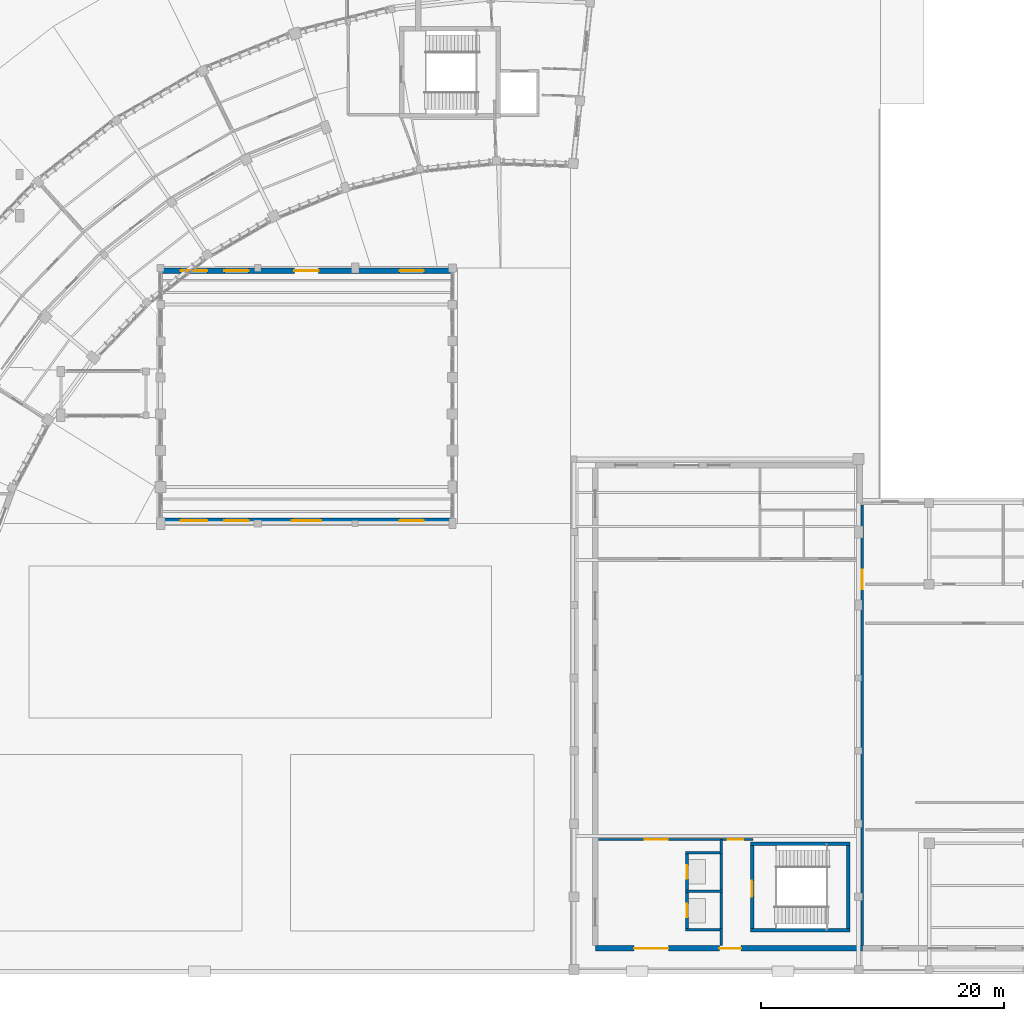
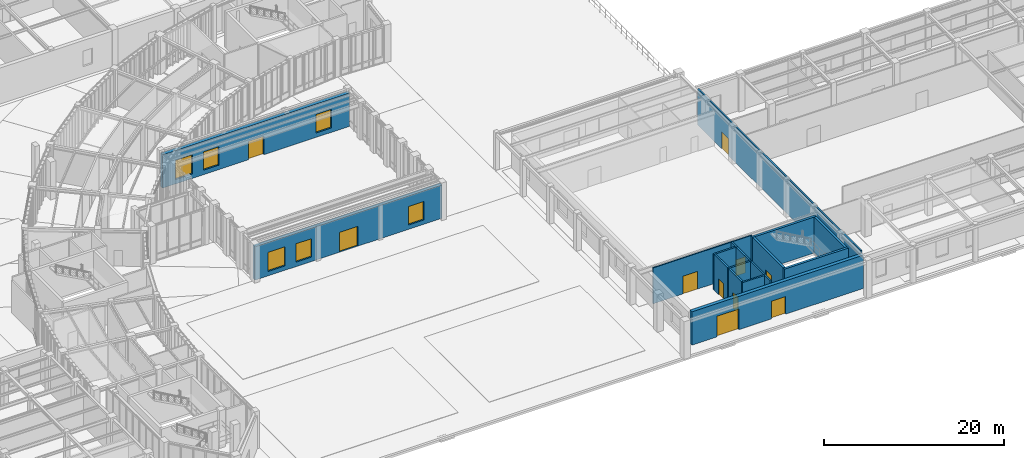
# One storey, part 40 of 68: 18 walls, 10 doors, 6 windows, 16 openings.
"""IFC4 building model written with IfcOpenShell, lengths in metres."""

import ifcopenshell
import ifcopenshell.guid

model = None  # the IFC model being written
_history = None  # IfcOwnerHistory: only IFC2X3 demands one
_inside = {}  # id of a spatial element -> (the spatial element, [elements in it])
_under = {}  # id of a project, library or spatial element -> (it, [spatial elements below it])
_declared = {}  # id of a project -> (the project, [libraries it declares])
_typed = {}  # id of a type object -> (the type object, [elements of that type])
_made_of = {}  # id of a material, layer set ... -> (it, [elements and type objects made of it])


def new_model(schema):
    """Start an empty IFC model of exactly this schema.

    Asked for "IFC4X3", IfcOpenShell would pick the latest addendum, in which some entities
    have other attributes; the version numbers below select the first issue.
    IFC2X3 requires an IfcOwnerHistory on every rooted entity: one is made here for all.
    """
    global model, _history
    if schema == "IFC4X3":
        model = ifcopenshell.file(schema_version=(4, 3, 0, 0))
    else:
        model = ifcopenshell.file(schema=schema)
    _inside.clear()
    _under.clear()
    _declared.clear()
    _typed.clear()
    _made_of.clear()
    _history = None
    if model.schema == "IFC2X3":
        org = make("IfcOrganization", Name="unknown")
        user = make(
            "IfcPersonAndOrganization",
            ThePerson=make("IfcPerson", FamilyName="unknown"),
            TheOrganization=org,
        )
        app = make(
            "IfcApplication",
            ApplicationDeveloper=org,
            Version="unknown",
            ApplicationFullName="unknown",
            ApplicationIdentifier="unknown",
        )
        _history = make(
            "IfcOwnerHistory",
            OwningUser=user,
            OwningApplication=app,
            ChangeAction="ADDED",
            CreationDate=0,
        )
    return model


def make(cls, **values):
    """One entity of the class cls with the attributes given. An attribute that is None is left unset."""
    return model.create_entity(
        cls, **{name: value for name, value in values.items() if value is not None}
    )


def rooted(cls, **values):
    """An entity with a GlobalId (a new one), such as an element, a storey or a relation."""
    return make(cls, GlobalId=ifcopenshell.guid.new(), OwnerHistory=_history, **values)


def si_unit(unit_type, name, prefix=None):
    """IfcSIUnit, for example si_unit("LENGTHUNIT", "METRE", prefix="MILLI")."""
    return make("IfcSIUnit", UnitType=unit_type, Prefix=prefix, Name=name)


def assignment(units):
    """IfcUnitAssignment: the units of a project."""
    return None if units is None else make("IfcUnitAssignment", Units=units)


def point(xyz):
    """IfcCartesianPoint."""
    return None if xyz is None else make("IfcCartesianPoint", Coordinates=xyz)


def direction(xyz):
    """IfcDirection."""
    return None if xyz is None else make("IfcDirection", DirectionRatios=xyz)


def frame(location, z_axis=None, x_axis=None):
    """IfcAxis2Placement3D, a coordinate frame: its origin and axes. An axis left out is left unset."""
    return make(
        "IfcAxis2Placement3D",
        Location=point(location),
        Axis=direction(z_axis),
        RefDirection=direction(x_axis),
    )


def frame_2d(location, x_axis=None):
    """IfcAxis2Placement2D, a coordinate frame in the plane: its origin and x axis."""
    return make(
        "IfcAxis2Placement2D", Location=point(location), RefDirection=direction(x_axis)
    )


def origin():
    """The frame at (0, 0, 0) with its axes left unset."""
    return frame((0.0, 0.0, 0.0))


def place(relative_to, where):
    """IfcLocalPlacement: puts the frame where relative to a parent placement (None: the world)."""
    return make(
        "IfcLocalPlacement", PlacementRelTo=relative_to, RelativePlacement=where
    )


def context(
    kind, dimensions, precision=None, world=None, true_north=None, identifier=None
):
    """IfcGeometricRepresentationContext, for example the 3D "Model" context."""
    return make(
        "IfcGeometricRepresentationContext",
        ContextIdentifier=identifier,
        ContextType=kind,
        CoordinateSpaceDimension=dimensions,
        Precision=precision,
        WorldCoordinateSystem=world,
        TrueNorth=true_north,
    )


def subcontext(parent, identifier, kind, view, scale=None):
    """IfcGeometricRepresentationSubContext, for example "Body" below "Model"."""
    return make(
        "IfcGeometricRepresentationSubContext",
        ContextIdentifier=identifier,
        ContextType=kind,
        ParentContext=parent,
        TargetScale=scale,
        TargetView=view,
    )


def project(units=None, contexts=None):
    """IfcProject with its units and contexts."""
    return rooted(
        "IfcProject",
        Name="project",
        RepresentationContexts=contexts,
        UnitsInContext=assignment(units),
    )


def spatial(cls, under=None, at=None, **own):
    """A site, building, storey or space (cls), placed at a placement, below another one or the project."""
    s = rooted(cls, ObjectPlacement=at, **own)
    if under is not None:
        _under.setdefault(under.id(), (under, []))[1].append(s)
    return s


def profile(cls, at=None, kind="AREA", **sizes):
    """A parametric profile (cls). Its sizes go by their IFC names, for example OverallWidth=200.0."""
    return make(cls, ProfileType=kind, Position=at, **sizes)


def rectangle(**sizes):
    """IfcRectangleProfileDef."""
    return profile("IfcRectangleProfileDef", **sizes)


def extrude(swept, where, along, depth):
    """IfcExtrudedAreaSolid: the profile swept, set in the frame where, extruded along a direction by depth."""
    return make(
        "IfcExtrudedAreaSolid",
        SweptArea=swept,
        Position=where,
        ExtrudedDirection=direction(along),
        Depth=depth,
    )


def shape(context_of_items, identifier, shape_type, items):
    """IfcShapeRepresentation: the items that make up one representation, for example the "Body"."""
    return make(
        "IfcShapeRepresentation",
        ContextOfItems=context_of_items,
        RepresentationIdentifier=identifier,
        RepresentationType=shape_type,
        Items=items,
    )


def material(Name=None, Category=None):
    """IfcMaterial."""
    return make("IfcMaterial", Name=Name, Category=Category)


def layer(
    of_material, thickness, ventilated=None, Name=None, Category=None, Priority=None
):
    """IfcMaterialLayer: one layer of a wall or slab, of a material (None: an air gap)."""
    return make(
        "IfcMaterialLayer",
        Material=of_material,
        LayerThickness=thickness,
        IsVentilated=ventilated,
        Name=Name,
        Category=Category,
        Priority=Priority,
    )


def layer_set(layers, Name=None):
    """IfcMaterialLayerSet."""
    return make("IfcMaterialLayerSet", MaterialLayers=layers, LayerSetName=Name)


def made_of(thing, what):
    """Note that an element or type object is made of a material, layer set ...; save() writes the relation."""
    if what is not None:
        _made_of.setdefault(what.id(), (what, []))[1].append(thing)
    return thing


def type_object(cls, material=None, **own):
    """A type object (cls), such as IfcWallType, which elements share."""
    return made_of(rooted(cls, **own), material)


def element(
    cls,
    number,
    at=None,
    inside=None,
    cuts=None,
    type_object=None,
    material=None,
    context=None,
    identifier="Body",
    shape_type=None,
    held_by="IfcProductDefinitionShape",
    body=None,
    shapes=None,
    **own,
):
    """One element of the class cls, such as IfcWall. Its Tag is "e" and its number.

    at: its placement. inside: the storey or other place that contains it. cuts: it is an
    opening in that element (IfcRelVoidsElement). A single representation is given by context,
    identifier, shape_type and body (its items); several are given by shapes. held_by: the class
    of the entity that holds the representations. save() writes the other relations.
    """
    e = rooted(cls, Tag="e%d" % number, ObjectPlacement=at, **own)
    if body is not None:
        shapes = [shape(context, identifier, shape_type, body)]
    if shapes is not None:
        e.Representation = make(held_by, Representations=shapes)
    if inside is not None:
        _inside.setdefault(inside.id(), (inside, []))[1].append(e)
    if cuts is not None:
        rooted(
            "IfcRelVoidsElement", RelatingBuildingElement=cuts, RelatedOpeningElement=e
        )
    if type_object is not None:
        _typed.setdefault(type_object.id(), (type_object, []))[1].append(e)
    return made_of(e, material)


def fill(opening, filler):
    """IfcRelFillsElement: the door or window that sits in an opening."""
    return rooted(
        "IfcRelFillsElement",
        RelatingOpeningElement=opening,
        RelatedBuildingElement=filler,
    )


def aggregate(whole, parts):
    """IfcRelAggregates: a whole, such as a stair, and the parts it consists of."""
    return rooted("IfcRelAggregates", RelatingObject=whole, RelatedObjects=parts)


def save(model, path):
    """Write the relations noted so far, then the file.

    IfcRelAggregates (storeys below a building ...), IfcRelContainedInSpatialStructure (elements
    in a storey), IfcRelDefinesByType, IfcRelAssociatesMaterial and IfcRelDeclares: one each for
    every whole, place, type object, material and project.
    """
    for whole, parts in _under.values():
        aggregate(whole, parts)
    for where, things in _inside.values():
        rooted(
            "IfcRelContainedInSpatialStructure",
            RelatedElements=things,
            RelatingStructure=where,
        )
    for kind, things in _typed.values():
        rooted("IfcRelDefinesByType", RelatedObjects=things, RelatingType=kind)
    for what, things in _made_of.values():
        rooted("IfcRelAssociatesMaterial", RelatedObjects=things, RelatingMaterial=what)
    for by, libraries in _declared.values():
        rooted("IfcRelDeclares", RelatingContext=by, RelatedDefinitions=libraries)
    model.write(path)


model = new_model("IFC4")

# Units and contexts
model_context = context("Model", 3, precision=1e-05, world=origin(), true_north=direction((0.0, 1.0)))
body_context = subcontext(model_context, "Body", "Model", "MODEL_VIEW")
ifc_project = project(units=[si_unit("LENGTHUNIT", "METRE"), si_unit("AREAUNIT", "SQUARE_METRE"), si_unit("VOLUMEUNIT", "CUBIC_METRE"), si_unit("PLANEANGLEUNIT", "RADIAN"), si_unit("MASSUNIT", "GRAM", prefix="KILO"), si_unit("THERMODYNAMICTEMPERATUREUNIT", "KELVIN"), si_unit("POWERUNIT", "WATT")], contexts=[model_context])

# Site, building, storey
site_placement = place(None, origin())
site = spatial("IfcSite", under=ifc_project, at=site_placement, CompositionType="ELEMENT")
building_placement = place(site_placement, origin())
building = spatial("IfcBuilding", under=site, at=building_placement, Name="Solvatero Civic Police Headquarters", CompositionType="ELEMENT")
storey_placement = place(building_placement, origin())
storey = spatial("IfcBuildingStorey", under=building, at=storey_placement, Name="L00", CompositionType="ELEMENT", Elevation=0.0)

# Wall, openings, doors
ifc_material_1 = material(Name="Grey Sandstone Ashlar", Category="masonry")
ifc_layer_1 = layer(ifc_material_1, 0.449951171875)
ifc_layer_set_1 = layer_set([ifc_layer_1], Name="Grey Sandstone Ashlar")
wall_type_1 = type_object("IfcWallType", Name="WL-EXT-SAND-450", PredefinedType="SOLIDWALL", material=ifc_layer_set_1)
wall_1_placement = place(storey_placement, frame((100.550048828125, 6.550048828125, 0.0), z_axis=(0.0, 0.0, 1.0), x_axis=(1.0, 0.0, 0.0)))
wall_1 = element("IfcWall", 1, at=wall_1_placement, inside=storey, type_object=wall_type_1, Name="Exterior Wall WLE-L00-V1-S", PredefinedType="SOLIDWALL", context=body_context, shape_type="SweptSolid", body=[
    extrude(rectangle(XDim=21.969970703125, YDim=0.449951171875, at=frame_2d((10.98486328125, 0.0))), origin(), (0.0, 0.0, 1.0), 4.51806640625),
])
opening_1_placement = place(wall_1_placement, frame((6.0, 0.0, 0.0), z_axis=(0.0, 0.0, 1.0), x_axis=(-1.0, 0.0, 0.0)))
opening_1 = element("IfcOpeningElement", 2, at=opening_1_placement, cuts=wall_1, Name="Opening ED-07", PredefinedType="OPENING", context=body_context, shape_type="SweptSolid", body=[
    extrude(rectangle(XDim=2.800048828125, YDim=2.800048828125, at=frame_2d((1.39990234375, 1.39990234375))), frame((0.0, 0.23486328125, 0.0), z_axis=(0.0, -1.0, 0.0), x_axis=(1.0, 0.0, 0.0)), (0.0, 0.0, 1.0), 0.469970703125),
])
opening_2_placement = place(wall_1_placement, frame((12.0, 0.0, 0.0), z_axis=(0.0, 0.0, 1.0), x_axis=(-1.0, 0.0, 0.0)))
opening_2 = element("IfcOpeningElement", 3, at=opening_2_placement, cuts=wall_1, Name="Opening ED-04", PredefinedType="OPENING", context=body_context, shape_type="SweptSolid", body=[
    extrude(rectangle(XDim=1.800048828125, YDim=2.39990234375, at=frame_2d((0.89990234375, 1.199951171875))), frame((0.0, 0.23486328125, 0.0), z_axis=(0.0, -1.0, 0.0), x_axis=(1.0, 0.0, 0.0)), (0.0, 0.0, 1.0), 0.469970703125),
])
ifc_material_2 = material(Name="Anodized Bronze Aluminium and Laminated Glass", Category="aluminium")
door_type_1 = type_object("IfcDoorType", Name="DR-EXT-180x240", OperationType="DOUBLE_DOOR_SINGLE_SWING", PredefinedType="DOOR", material=ifc_material_2)
door_1_placement = place(opening_2_placement, origin())
door_1 = element("IfcDoor", 4, at=door_1_placement, inside=storey, type_object=door_type_1, Name="Exterior Door DR-L00-C5-EXIT", OperationType="DOUBLE_DOOR_SINGLE_SWING", OverallHeight=2.39990234375, OverallWidth=1.800048828125, PredefinedType="DOOR", context=body_context, shape_type="SweptSolid", body=[
    extrude(rectangle(XDim=1.800048828125, YDim=2.39990234375, at=frame_2d((0.89990234375, 1.199951171875))), frame((0.0, 0.02490234375, 0.0), z_axis=(0.0, -1.0, 0.0), x_axis=(1.0, 0.0, 0.0)), (0.0, 0.0, 1.0), 0.050048828125),
])
fill(opening_2, door_1)
door_type_2 = type_object("IfcDoorType", Name="DR-EXT-280x280", OperationType="DOUBLE_DOOR_SINGLE_SWING", PredefinedType="DOOR", material=ifc_material_2)
door_2_placement = place(opening_1_placement, origin())
door_2 = element("IfcDoor", 5, at=door_2_placement, inside=storey, type_object=door_type_2, Name="Exterior Door DR-L00-V1-MAIN1", OperationType="DOUBLE_DOOR_SINGLE_SWING", OverallHeight=2.800048828125, OverallWidth=2.800048828125, PredefinedType="DOOR", context=body_context, shape_type="SweptSolid", body=[
    extrude(rectangle(XDim=2.800048828125, YDim=2.800048828125, at=frame_2d((1.39990234375, 1.39990234375))), frame((0.0, 0.02490234375, 0.0), z_axis=(0.0, -1.0, 0.0), x_axis=(1.0, 0.0, 0.0)), (0.0, 0.0, 1.0), 0.050048828125),
])
fill(opening_1, door_2)

# Wall, openings, door, windows
wall_2_placement = place(storey_placement, frame((64.800048828125, 41.719970703125, 0.0), z_axis=(0.0, 0.0, 1.0), x_axis=(1.0, 0.0, 0.0)))
wall_2 = element("IfcWall", 6, at=wall_2_placement, inside=storey, type_object=wall_type_1, Name="Exterior Wall WLE-L00-V2-S", PredefinedType="SOLIDWALL", context=body_context, shape_type="SweptSolid", body=[
    extrude(rectangle(XDim=24.0, YDim=0.449951171875, at=frame_2d((12.0, 0.0))), origin(), (0.0, 0.0, 1.0), 4.51806640625),
])
opening_3_placement = place(wall_2_placement, frame((13.199951171875, 0.0, 0.0), z_axis=(0.0, 0.0, 1.0), x_axis=(-1.0, 0.0, 0.0)))
opening_3 = element("IfcOpeningElement", 7, at=opening_3_placement, cuts=wall_2, Name="Opening ED-06", PredefinedType="OPENING", context=body_context, shape_type="SweptSolid", body=[
    extrude(rectangle(XDim=2.39990234375, YDim=2.699951171875, at=frame_2d((1.199951171875, 1.35009765625))), frame((0.0, 0.23486328125, 0.0), z_axis=(0.0, -1.0, 0.0), x_axis=(1.0, 0.0, 0.0)), (0.0, 0.0, 1.0), 0.469970703125),
])
opening_4_placement = place(wall_2_placement, frame((1.64990234375, 0.0, 0.60009765625)))
opening_4 = element("IfcOpeningElement", 8, at=opening_4_placement, cuts=wall_2, Name="Opening W-07", PredefinedType="OPENING", context=body_context, shape_type="SweptSolid", body=[
    extrude(rectangle(XDim=2.199951171875, YDim=2.60009765625, at=frame_2d((1.10009765625, 1.300048828125))), frame((0.0, 0.23486328125, 0.0), z_axis=(0.0, -1.0, 0.0), x_axis=(1.0, 0.0, 0.0)), (0.0, 0.0, 1.0), 0.469970703125),
])
opening_5_placement = place(wall_2_placement, frame((5.25, 0.0, 0.60009765625)))
opening_5 = element("IfcOpeningElement", 9, at=opening_5_placement, cuts=wall_2, Name="Opening W-06", PredefinedType="OPENING", context=body_context, shape_type="SweptSolid", body=[
    extrude(rectangle(XDim=2.0, YDim=2.5, at=frame_2d((1.0, 1.25))), frame((0.0, 0.23486328125, 0.0), z_axis=(0.0, -1.0, 0.0), x_axis=(1.0, 0.0, 0.0)), (0.0, 0.0, 1.0), 0.469970703125),
])
opening_6_placement = place(wall_2_placement, frame((19.64990234375, 0.0, 0.60009765625)))
opening_6 = element("IfcOpeningElement", 10, at=opening_6_placement, cuts=wall_2, Name="Opening W-06", PredefinedType="OPENING", context=body_context, shape_type="SweptSolid", body=[
    extrude(rectangle(XDim=2.0, YDim=2.5, at=frame_2d((1.0, 1.25))), frame((0.0, 0.23486328125, 0.0), z_axis=(0.0, -1.0, 0.0), x_axis=(1.0, 0.0, 0.0)), (0.0, 0.0, 1.0), 0.469970703125),
])
door_type_3 = type_object("IfcDoorType", Name="DR-EXT-240x270", OperationType="DOUBLE_DOOR_SINGLE_SWING", PredefinedType="DOOR", material=ifc_material_2)
door_3_placement = place(opening_3_placement, origin())
door_3 = element("IfcDoor", 11, at=door_3_placement, inside=storey, type_object=door_type_3, Name="Exterior Door DR-L00-V2-PARVIS", OperationType="DOUBLE_DOOR_SINGLE_SWING", OverallHeight=2.699951171875, OverallWidth=2.39990234375, PredefinedType="DOOR", context=body_context, shape_type="SweptSolid", body=[
    extrude(rectangle(XDim=2.39990234375, YDim=2.699951171875, at=frame_2d((1.199951171875, 1.35009765625))), frame((0.0, 0.02490234375, 0.0), z_axis=(0.0, -1.0, 0.0), x_axis=(1.0, 0.0, 0.0)), (0.0, 0.0, 1.0), 0.050048828125),
])
fill(opening_3, door_3)
ifc_material_3 = material(Name="Anodized Bronze Aluminium", Category="aluminium")
window_type_1 = type_object("IfcWindowType", Name="WN-CL-200x250", PartitioningType="SINGLE_PANEL", PredefinedType="WINDOW", material=ifc_material_3)
window_1_placement = place(opening_5_placement, origin())
window_1 = element("IfcWindow", 12, at=window_1_placement, inside=storey, type_object=window_type_1, Name="Exterior Window 0276", OverallHeight=2.5, OverallWidth=2.0, PartitioningType="SINGLE_PANEL", PredefinedType="WINDOW", context=body_context, shape_type="SweptSolid", body=[
    extrude(rectangle(XDim=2.0, YDim=2.5, at=frame_2d((1.0, 1.25))), frame((0.0, 0.030029296875, 0.0), z_axis=(0.0, -1.0, 0.0), x_axis=(1.0, 0.0, 0.0)), (0.0, 0.0, 1.0), 0.06005859375),
])
fill(opening_5, window_1)
window_2_placement = place(opening_6_placement, origin())
window_2 = element("IfcWindow", 13, at=window_2_placement, inside=storey, type_object=window_type_1, Name="Exterior Window 0277", OverallHeight=2.5, OverallWidth=2.0, PartitioningType="SINGLE_PANEL", PredefinedType="WINDOW", context=body_context, shape_type="SweptSolid", body=[
    extrude(rectangle(XDim=2.0, YDim=2.5, at=frame_2d((1.0, 1.25))), frame((0.0, 0.030029296875, 0.0), z_axis=(0.0, -1.0, 0.0), x_axis=(1.0, 0.0, 0.0)), (0.0, 0.0, 1.0), 0.06005859375),
])
fill(opening_6, window_2)
window_type_2 = type_object("IfcWindowType", Name="WN-CL-220x260", PartitioningType="SINGLE_PANEL", PredefinedType="WINDOW", material=ifc_material_3)
window_3_placement = place(opening_4_placement, origin())
window_3 = element("IfcWindow", 14, at=window_3_placement, inside=storey, type_object=window_type_2, Name="Exterior Window 0275", OverallHeight=2.60009765625, OverallWidth=2.199951171875, PartitioningType="SINGLE_PANEL", PredefinedType="WINDOW", context=body_context, shape_type="SweptSolid", body=[
    extrude(rectangle(XDim=2.199951171875, YDim=2.60009765625, at=frame_2d((1.10009765625, 1.300048828125))), frame((0.0, 0.030029296875, 0.0), z_axis=(0.0, -1.0, 0.0), x_axis=(1.0, 0.0, 0.0)), (0.0, 0.0, 1.0), 0.06005859375),
])
fill(opening_4, window_3)

wall_3_placement = place(storey_placement, frame((64.800048828125, 62.280029296875, 0.0), z_axis=(0.0, 0.0, 1.0), x_axis=(1.0, 0.0, 0.0)))
wall_3 = element("IfcWall", 15, at=wall_3_placement, inside=storey, type_object=wall_type_1, Name="Exterior Wall WLE-L00-V2-N", PredefinedType="SOLIDWALL", context=body_context, shape_type="SweptSolid", body=[
    extrude(rectangle(XDim=24.0, YDim=0.449951171875, at=frame_2d((12.0, 0.0))), origin(), (0.0, 0.0, 1.0), 4.51806640625),
])
opening_7_placement = place(wall_3_placement, frame((11.0, 0.0, 0.0)))
opening_7 = element("IfcOpeningElement", 16, at=opening_7_placement, cuts=wall_3, Name="Opening ED-05", PredefinedType="OPENING", context=body_context, shape_type="SweptSolid", body=[
    extrude(rectangle(XDim=2.0, YDim=2.5, at=frame_2d((1.0, 1.25))), frame((0.0, 0.23486328125, 0.0), z_axis=(0.0, -1.0, 0.0), x_axis=(1.0, 0.0, 0.0)), (0.0, 0.0, 1.0), 0.469970703125),
])
opening_8_placement = place(wall_3_placement, frame((1.64990234375, 0.0, 0.60009765625)))
opening_8 = element("IfcOpeningElement", 17, at=opening_8_placement, cuts=wall_3, Name="Opening W-07", PredefinedType="OPENING", context=body_context, shape_type="SweptSolid", body=[
    extrude(rectangle(XDim=2.199951171875, YDim=2.60009765625, at=frame_2d((1.10009765625, 1.300048828125))), frame((0.0, 0.23486328125, 0.0), z_axis=(0.0, -1.0, 0.0), x_axis=(1.0, 0.0, 0.0)), (0.0, 0.0, 1.0), 0.469970703125),
])
opening_9_placement = place(wall_3_placement, frame((5.25, 0.0, 0.60009765625)))
opening_9 = element("IfcOpeningElement", 18, at=opening_9_placement, cuts=wall_3, Name="Opening W-06", PredefinedType="OPENING", context=body_context, shape_type="SweptSolid", body=[
    extrude(rectangle(XDim=2.0, YDim=2.5, at=frame_2d((1.0, 1.25))), frame((0.0, 0.23486328125, 0.0), z_axis=(0.0, -1.0, 0.0), x_axis=(1.0, 0.0, 0.0)), (0.0, 0.0, 1.0), 0.469970703125),
])
opening_10_placement = place(wall_3_placement, frame((19.64990234375, 0.0, 0.60009765625)))
opening_10 = element("IfcOpeningElement", 19, at=opening_10_placement, cuts=wall_3, Name="Opening W-06", PredefinedType="OPENING", context=body_context, shape_type="SweptSolid", body=[
    extrude(rectangle(XDim=2.0, YDim=2.5, at=frame_2d((1.0, 1.25))), frame((0.0, 0.23486328125, 0.0), z_axis=(0.0, -1.0, 0.0), x_axis=(1.0, 0.0, 0.0)), (0.0, 0.0, 1.0), 0.469970703125),
])
door_type_4 = type_object("IfcDoorType", Name="DR-EXT-200x250", OperationType="DOUBLE_DOOR_SINGLE_SWING", PredefinedType="DOOR", material=ifc_material_2)
door_4_placement = place(opening_7_placement, origin())
door_4 = element("IfcDoor", 20, at=door_4_placement, inside=storey, type_object=door_type_4, Name="Exterior Door DR-L00-V2-COURT", OperationType="DOUBLE_DOOR_SINGLE_SWING", OverallHeight=2.5, OverallWidth=2.0, PredefinedType="DOOR", context=body_context, shape_type="SweptSolid", body=[
    extrude(rectangle(XDim=2.0, YDim=2.5, at=frame_2d((1.0, 1.25))), frame((0.0, 0.02490234375, 0.0), z_axis=(0.0, -1.0, 0.0), x_axis=(1.0, 0.0, 0.0)), (0.0, 0.0, 1.0), 0.050048828125),
])
fill(opening_7, door_4)
window_4_placement = place(opening_9_placement, origin())
window_4 = element("IfcWindow", 21, at=window_4_placement, inside=storey, type_object=window_type_1, Name="Exterior Window 0279", OverallHeight=2.5, OverallWidth=2.0, PartitioningType="SINGLE_PANEL", PredefinedType="WINDOW", context=body_context, shape_type="SweptSolid", body=[
    extrude(rectangle(XDim=2.0, YDim=2.5, at=frame_2d((1.0, 1.25))), frame((0.0, 0.030029296875, 0.0), z_axis=(0.0, -1.0, 0.0), x_axis=(1.0, 0.0, 0.0)), (0.0, 0.0, 1.0), 0.06005859375),
])
fill(opening_9, window_4)
window_5_placement = place(opening_10_placement, origin())
window_5 = element("IfcWindow", 22, at=window_5_placement, inside=storey, type_object=window_type_1, Name="Exterior Window 0280", OverallHeight=2.5, OverallWidth=2.0, PartitioningType="SINGLE_PANEL", PredefinedType="WINDOW", context=body_context, shape_type="SweptSolid", body=[
    extrude(rectangle(XDim=2.0, YDim=2.5, at=frame_2d((1.0, 1.25))), frame((0.0, 0.030029296875, 0.0), z_axis=(0.0, -1.0, 0.0), x_axis=(1.0, 0.0, 0.0)), (0.0, 0.0, 1.0), 0.06005859375),
])
fill(opening_10, window_5)
window_6_placement = place(opening_8_placement, origin())
window_6 = element("IfcWindow", 23, at=window_6_placement, inside=storey, type_object=window_type_2, Name="Exterior Window 0278", OverallHeight=2.60009765625, OverallWidth=2.199951171875, PartitioningType="SINGLE_PANEL", PredefinedType="WINDOW", context=body_context, shape_type="SweptSolid", body=[
    extrude(rectangle(XDim=2.199951171875, YDim=2.60009765625, at=frame_2d((1.10009765625, 1.300048828125))), frame((0.0, 0.030029296875, 0.0), z_axis=(0.0, -1.0, 0.0), x_axis=(1.0, 0.0, 0.0)), (0.0, 0.0, 1.0), 0.06005859375),
])
fill(opening_8, window_6)

# Wall, openings, doors
ifc_material_4 = material(Name="Gypsum Acoustic Stud", Category="gypsum")
ifc_layer_2 = layer(ifc_material_4, 0.14990234375)
ifc_layer_set_2 = layer_set([ifc_layer_2], Name="Gypsum Acoustic Stud")
wall_type_2 = type_object("IfcWallType", Name="WL-PTN-150", PredefinedType="PARTITIONING", material=ifc_layer_set_2)
wall_4_placement = place(storey_placement, frame((100.800048828125, 15.5, 0.0), z_axis=(0.0, 0.0, 1.0), x_axis=(1.0, 0.0, 0.0)))
wall_4 = element("IfcWall", 24, at=wall_4_placement, inside=storey, type_object=wall_type_2, Name="Interior Partition WLP-L00-V1-SEC", PredefinedType="PARTITIONING", context=body_context, shape_type="SweptSolid", body=[
    extrude(rectangle(XDim=12.699951171875, YDim=0.14990234375, at=frame_2d((6.35009765625, 0.0))), origin(), (0.0, 0.0, 1.0), 4.860107421875),
])
opening_11_placement = place(wall_4_placement, frame((3.800048828125, 0.0, 0.0)))
opening_11 = element("IfcOpeningElement", 25, at=opening_11_placement, cuts=wall_4, Name="Opening ID-19", PredefinedType="OPENING", context=body_context, shape_type="SweptSolid", body=[
    extrude(rectangle(XDim=1.89990234375, YDim=2.39990234375, at=frame_2d((0.949951171875, 1.199951171875))), frame((0.0, 0.0849609375, 0.0), z_axis=(0.0, -1.0, 0.0), x_axis=(1.0, 0.0, 0.0)), (0.0, 0.0, 1.0), 0.169921875),
])
opening_12_placement = place(wall_4_placement, frame((10.64990234375, 0.0, 0.0)))
opening_12 = element("IfcOpeningElement", 26, at=opening_12_placement, cuts=wall_4, Name="Opening FD-01", PredefinedType="OPENING", context=body_context, shape_type="SweptSolid", body=[
    extrude(rectangle(XDim=1.25, YDim=2.199951171875, at=frame_2d((0.625, 1.10009765625))), frame((0.0, 0.0849609375, 0.0), z_axis=(0.0, -1.0, 0.0), x_axis=(1.0, 0.0, 0.0)), (0.0, 0.0, 1.0), 0.169921875),
])
ifc_material_5 = material(Name="Powder-Coated Steel", Category="steel")
door_type_5 = type_object("IfcDoorType", Name="DR-DBL-190x240", OperationType="NOTDEFINED", PredefinedType="DOOR", material=ifc_material_5)
door_5_placement = place(opening_11_placement, origin())
door_5 = element("IfcDoor", 27, at=door_5_placement, inside=storey, type_object=door_type_5, Name="Interior Door DR-L00-V1-SEC", OperationType="DOUBLE_DOOR_SINGLE_SWING", OverallHeight=2.39990234375, OverallWidth=1.89990234375, PredefinedType="DOOR", context=body_context, shape_type="SweptSolid", body=[
    extrude(rectangle(XDim=1.89990234375, YDim=2.39990234375, at=frame_2d((0.949951171875, 1.199951171875))), frame((0.0, 0.02490234375, 0.0), z_axis=(0.0, -1.0, 0.0), x_axis=(1.0, 0.0, 0.0)), (0.0, 0.0, 1.0), 0.050048828125),
])
fill(opening_11, door_5)
door_type_6 = type_object("IfcDoorType", Name="DR-STR-125x220", OperationType="NOTDEFINED", PredefinedType="DOOR", material=ifc_material_5)
door_6_placement = place(opening_12_placement, origin())
door_6 = element("IfcDoor", 28, at=door_6_placement, inside=storey, type_object=door_type_6, Name="Interior Door DR-L00-C5PASS-N", OperationType="SINGLE_SWING_RIGHT", OverallHeight=2.199951171875, OverallWidth=1.25, PredefinedType="DOOR", context=body_context, shape_type="SweptSolid", body=[
    extrude(rectangle(XDim=1.25, YDim=2.199951171875, at=frame_2d((0.625, 1.10009765625))), frame((0.0, 0.02490234375, 0.0), z_axis=(0.0, -1.0, 0.0), x_axis=(1.0, 0.0, 0.0)), (0.0, 0.0, 1.0), 0.050048828125),
])
fill(opening_12, door_6)

# Walls
ifc_material_6 = material(Name="Concrete Blockwork", Category="masonry")
ifc_layer_3 = layer(ifc_material_6, 0.199951171875)
ifc_layer_set_3 = layer_set([ifc_layer_3], Name="Concrete Blockwork")
wall_type_3 = type_object("IfcWallType", Name="WL-PTN-200", PredefinedType="PARTITIONING", material=ifc_layer_set_3)
wall_5_placement = place(storey_placement, frame((110.909912109375, 6.780029296875, 0.0), z_axis=(0.0, 0.0, 1.0), x_axis=(0.0, 1.0, 0.0)))
element("IfcWall", 29, at=wall_5_placement, inside=storey, type_object=wall_type_3, Name="Interior Partition WLP-L00-EXIT-C5-SW", PredefinedType="PARTITIONING", context=body_context, shape_type="SweptSolid", body=[
    extrude(rectangle(XDim=1.419921875, YDim=0.199951171875, at=frame_2d((0.7099609375, 0.0))), origin(), (0.0, 0.0, 1.0), 4.860107421875),
])
wall_6_placement = place(storey_placement, frame((110.909912109375, 14.300048828125, 0.0), z_axis=(0.0, 0.0, 1.0), x_axis=(0.0, 1.0, 0.0)))
element("IfcWall", 30, at=wall_6_placement, inside=storey, type_object=wall_type_3, Name="Interior Partition WLP-L00-EXIT-C5-NW", PredefinedType="PARTITIONING", context=body_context, shape_type="SweptSolid", body=[
    extrude(rectangle(XDim=1.199951171875, YDim=0.199951171875, at=frame_2d((0.60009765625, 0.0))), origin(), (0.0, 0.0, 1.0), 4.860107421875),
])

# Wall, opening, door
wall_7_placement = place(storey_placement, frame((122.5, 6.800048828125, 0.0), z_axis=(0.0, 0.0, 1.0), x_axis=(0.0, 1.0, 0.0)))
wall_7 = element("IfcWall", 31, at=wall_7_placement, inside=storey, type_object=wall_type_3, Name="Interior Partition WLP-L00-V1-V3", PredefinedType="PARTITIONING", context=body_context, shape_type="SweptSolid", body=[
    extrude(rectangle(XDim=36.199951171875, YDim=0.199951171875, at=frame_2d((18.10009765625, 0.0))), origin(), (0.0, 0.0, 1.0), 4.860107421875),
])
opening_13_placement = place(wall_7_placement, frame((29.300048828125, 0.0, 0.0)))
opening_13 = element("IfcOpeningElement", 32, at=opening_13_placement, cuts=wall_7, Name="Opening ID-15", PredefinedType="OPENING", context=body_context, shape_type="SweptSolid", body=[
    extrude(rectangle(XDim=1.60009765625, YDim=2.300048828125, at=frame_2d((0.800048828125, 1.14990234375))), frame((0.0, 0.10986328125, 0.0), z_axis=(0.0, -1.0, 0.0), x_axis=(1.0, 0.0, 0.0)), (0.0, 0.0, 1.0), 0.219970703125),
])
door_type_7 = type_object("IfcDoorType", Name="DR-DBL-160x230", OperationType="NOTDEFINED", PredefinedType="DOOR", material=ifc_material_5)
door_7_placement = place(opening_13_placement, origin())
door_7 = element("IfcDoor", 33, at=door_7_placement, inside=storey, type_object=door_type_7, Name="Interior Door DR-L00-V1-GYM", OperationType="DOUBLE_DOOR_SINGLE_SWING", OverallHeight=2.300048828125, OverallWidth=1.60009765625, PredefinedType="DOOR", context=body_context, shape_type="SweptSolid", body=[
    extrude(rectangle(XDim=1.60009765625, YDim=2.300048828125, at=frame_2d((0.800048828125, 1.14990234375))), frame((0.0, 0.02490234375, 0.0), z_axis=(0.0, -1.0, 0.0), x_axis=(1.0, 0.0, 0.0)), (0.0, 0.0, 1.0), 0.050048828125),
])
fill(opening_13, door_7)

# Walls
ifc_material_7 = material(Name="Concrete C35/45", Category="concrete")
ifc_layer_4 = layer(ifc_material_7, 0.219970703125)
ifc_layer_set_4 = layer_set([ifc_layer_4], Name="Concrete C35/45")
wall_type_4 = type_object("IfcWallType", Name="WL-SHF-220", PredefinedType="PARTITIONING", material=ifc_layer_set_4)
for number, where, z_axis, x_axis, name in (
    (34, (107.97998046875, 8.090087890625, 0.0), (0.0, 0.0, 1.0), (1.0, 0.0, 0.0), "Lift Shaft Wall WLS-LP-04-L00-S"),
    (35, (107.97998046875, 11.25, 0.0), (0.0, 0.0, 1.0), (1.0, 0.0, 0.0), "Lift Shaft Wall WLS-LP-04-L00-N"),
):
    element("IfcWall", number, at=place(storey_placement, frame(where, z_axis=z_axis, x_axis=x_axis)), inside=storey, type_object=wall_type_4, Name=name, PredefinedType="PARTITIONING", context=body_context, shape_type="SweptSolid", body=[
        extrude(rectangle(XDim=3.0400390625, YDim=0.219970703125, at=frame_2d((1.52001953125, 0.0))), origin(), (0.0, 0.0, 1.0), 4.860107421875),
    ])

# Wall, opening, door
wall_8_placement = place(storey_placement, frame((108.090087890625, 8.199951171875, 0.0), z_axis=(0.0, 0.0, 1.0), x_axis=(0.0, 1.0, 0.0)))
wall_8 = element("IfcWall", 36, at=wall_8_placement, inside=storey, type_object=wall_type_4, Name="Lift Shaft Wall WLS-LP-04-L00-W", PredefinedType="PARTITIONING", context=body_context, shape_type="SweptSolid", body=[
    extrude(rectangle(XDim=2.93994140625, YDim=0.219970703125, at=frame_2d((1.469970703125, 0.0))), origin(), (0.0, 0.0, 1.0), 4.860107421875),
])
opening_14_placement = place(wall_8_placement, frame((0.919921875, 0.0, 0.0)))
opening_14 = element("IfcOpeningElement", 37, at=opening_14_placement, cuts=wall_8, Name="Opening LD-01", PredefinedType="OPENING", context=body_context, shape_type="SweptSolid", body=[
    extrude(rectangle(XDim=1.10009765625, YDim=2.14990234375, at=frame_2d((0.550048828125, 1.074951171875))), frame((0.0, 0.119873046875, 0.0), z_axis=(0.0, -1.0, 0.0), x_axis=(1.0, 0.0, 0.0)), (0.0, 0.0, 1.0), 0.239990234375),
])
ifc_material_8 = material(Name="Stainless Steel Grade 316", Category="steel")
door_type_8 = type_object("IfcDoorType", Name="DR-LFT-110x215", OperationType="DOUBLE_DOOR_SLIDING", PredefinedType="DOOR", material=ifc_material_8)
door_8_placement = place(opening_14_placement, origin())
door_8 = element("IfcDoor", 38, at=door_8_placement, inside=storey, type_object=door_type_8, Name="Interior Door DR-LFT-LP-04-L00", OperationType="DOUBLE_DOOR_SLIDING", OverallHeight=2.14990234375, OverallWidth=1.10009765625, PredefinedType="DOOR", context=body_context, shape_type="SweptSolid", body=[
    extrude(rectangle(XDim=1.10009765625, YDim=2.14990234375, at=frame_2d((0.550048828125, 1.074951171875))), frame((0.0, 0.02490234375, 0.0), z_axis=(0.0, -1.0, 0.0), x_axis=(1.0, 0.0, 0.0)), (0.0, 0.0, 1.0), 0.050048828125),
])
fill(opening_14, door_8)

# Walls
wall_9_placement = place(storey_placement, frame((110.909912109375, 8.199951171875, 0.0), z_axis=(0.0, 0.0, 1.0), x_axis=(0.0, 1.0, 0.0)))
element("IfcWall", 39, at=wall_9_placement, inside=storey, type_object=wall_type_4, Name="Lift Shaft Wall WLS-LP-04-L00-E", PredefinedType="PARTITIONING", context=body_context, shape_type="SweptSolid", body=[
    extrude(rectangle(XDim=2.93994140625, YDim=0.219970703125, at=frame_2d((1.469970703125, 0.0))), origin(), (0.0, 0.0, 1.0), 4.860107421875),
])
wall_10_placement = place(storey_placement, frame((107.97998046875, 14.409912109375, 0.0), z_axis=(0.0, 0.0, 1.0), x_axis=(1.0, 0.0, 0.0)))
element("IfcWall", 40, at=wall_10_placement, inside=storey, type_object=wall_type_4, Name="Lift Shaft Wall WLS-LP-05-L00-N", PredefinedType="PARTITIONING", context=body_context, shape_type="SweptSolid", body=[
    extrude(rectangle(XDim=3.0400390625, YDim=0.219970703125, at=frame_2d((1.52001953125, 0.0))), origin(), (0.0, 0.0, 1.0), 4.860107421875),
])

# Wall, opening, door
wall_11_placement = place(storey_placement, frame((108.090087890625, 11.360107421875, 0.0), z_axis=(0.0, 0.0, 1.0), x_axis=(0.0, 1.0, 0.0)))
wall_11 = element("IfcWall", 41, at=wall_11_placement, inside=storey, type_object=wall_type_4, Name="Lift Shaft Wall WLS-LP-05-L00-W", PredefinedType="PARTITIONING", context=body_context, shape_type="SweptSolid", body=[
    extrude(rectangle(XDim=2.93994140625, YDim=0.219970703125, at=frame_2d((1.469970703125, 0.0))), origin(), (0.0, 0.0, 1.0), 4.860107421875),
])
opening_15_placement = place(wall_11_placement, frame((0.919921875, 0.0, 0.0)))
opening_15 = element("IfcOpeningElement", 42, at=opening_15_placement, cuts=wall_11, Name="Opening LD-01", PredefinedType="OPENING", context=body_context, shape_type="SweptSolid", body=[
    extrude(rectangle(XDim=1.10009765625, YDim=2.14990234375, at=frame_2d((0.550048828125, 1.074951171875))), frame((0.0, 0.119873046875, 0.0), z_axis=(0.0, -1.0, 0.0), x_axis=(1.0, 0.0, 0.0)), (0.0, 0.0, 1.0), 0.239990234375),
])
door_9_placement = place(opening_15_placement, origin())
door_9 = element("IfcDoor", 43, at=door_9_placement, inside=storey, type_object=door_type_8, Name="Interior Door DR-LFT-LP-05-L00", OperationType="DOUBLE_DOOR_SLIDING", OverallHeight=2.14990234375, OverallWidth=1.10009765625, PredefinedType="DOOR", context=body_context, shape_type="SweptSolid", body=[
    extrude(rectangle(XDim=1.10009765625, YDim=2.14990234375, at=frame_2d((0.550048828125, 1.074951171875))), frame((0.0, 0.02490234375, 0.0), z_axis=(0.0, -1.0, 0.0), x_axis=(1.0, 0.0, 0.0)), (0.0, 0.0, 1.0), 0.050048828125),
])
fill(opening_15, door_9)

# Walls
wall_12_placement = place(storey_placement, frame((110.909912109375, 11.360107421875, 0.0), z_axis=(0.0, 0.0, 1.0), x_axis=(0.0, 1.0, 0.0)))
element("IfcWall", 44, at=wall_12_placement, inside=storey, type_object=wall_type_4, Name="Lift Shaft Wall WLS-LP-05-L00-E", PredefinedType="PARTITIONING", context=body_context, shape_type="SweptSolid", body=[
    extrude(rectangle(XDim=2.93994140625, YDim=0.219970703125, at=frame_2d((1.469970703125, 0.0))), origin(), (0.0, 0.0, 1.0), 4.860107421875),
])
ifc_material_9 = material(Name="Concrete C40/50", Category="concrete")
ifc_layer_5 = layer(ifc_material_9, 0.300048828125)
ifc_layer_set_5 = layer_set([ifc_layer_5], Name="Concrete C40/50")
wall_type_5 = type_object("IfcWallType", Name="WL-SHR-300", PredefinedType="SHEAR", material=ifc_layer_set_5)
for number, where, z_axis, x_axis, name in (
    (45, (113.300048828125, 8.050048828125, 0.0), (0.0, 0.0, 1.0), (1.0, 0.0, 0.0), "Core C5 Shear Wall S L00"),
    (46, (113.300048828125, 15.14990234375, 0.0), (0.0, 0.0, 1.0), (1.0, 0.0, 0.0), "Core C5 Shear Wall N L00"),
):
    element("IfcWall", number, at=place(storey_placement, frame(where, z_axis=z_axis, x_axis=x_axis)), inside=storey, type_object=wall_type_5, Name=name, PredefinedType="SHEAR", context=body_context, shape_type="SweptSolid", body=[
        extrude(rectangle(XDim=8.199951171875, YDim=0.300048828125, at=frame_2d((4.10009765625, 0.0))), origin(), (0.0, 0.0, 1.0), 4.8798828125),
    ])

# Wall, opening, door
wall_13_placement = place(storey_placement, frame((113.449951171875, 8.199951171875, 0.0), z_axis=(0.0, 0.0, 1.0), x_axis=(0.0, 1.0, 0.0)))
wall_13 = element("IfcWall", 47, at=wall_13_placement, inside=storey, type_object=wall_type_5, Name="Core C5 Shear Wall W L00", PredefinedType="SHEAR", context=body_context, shape_type="SweptSolid", body=[
    extrude(rectangle(XDim=6.800048828125, YDim=0.300048828125, at=frame_2d((3.39990234375, 0.0))), origin(), (0.0, 0.0, 1.0), 4.8798828125),
])
opening_16_placement = place(wall_13_placement, frame((2.60009765625, 0.0, 0.0)))
opening_16 = element("IfcOpeningElement", 48, at=opening_16_placement, cuts=wall_13, Name="Opening FD-03", PredefinedType="OPENING", context=body_context, shape_type="SweptSolid", body=[
    extrude(rectangle(XDim=1.320068359375, YDim=2.239990234375, at=frame_2d((0.66015625, 1.1201171875))), frame((0.0, 0.159912109375, 0.0), z_axis=(0.0, -1.0, 0.0), x_axis=(1.0, 0.0, 0.0)), (0.0, 0.0, 1.0), 0.320068359375),
])
door_type_9 = type_object("IfcDoorType", Name="DR-STR-132x224", OperationType="NOTDEFINED", PredefinedType="DOOR", material=ifc_material_5)
door_10_placement = place(opening_16_placement, origin())
door_10 = element("IfcDoor", 49, at=door_10_placement, inside=storey, type_object=door_type_9, Name="Interior Door DR-STR-C5-L00", OperationType="SINGLE_SWING_RIGHT", OverallHeight=2.239990234375, OverallWidth=1.320068359375, PredefinedType="DOOR", context=body_context, shape_type="SweptSolid", body=[
    extrude(rectangle(XDim=1.320068359375, YDim=2.239990234375, at=frame_2d((0.66015625, 1.1201171875))), frame((0.0, 0.02490234375, 0.0), z_axis=(0.0, -1.0, 0.0), x_axis=(1.0, 0.0, 0.0)), (0.0, 0.0, 1.0), 0.050048828125),
])
fill(opening_16, door_10)

# Wall
wall_14_placement = place(storey_placement, frame((121.35009765625, 8.199951171875, 0.0), z_axis=(0.0, 0.0, 1.0), x_axis=(0.0, 1.0, 0.0)))
element("IfcWall", 50, at=wall_14_placement, inside=storey, type_object=wall_type_5, Name="Core C5 Shear Wall E L00", PredefinedType="SHEAR", context=body_context, shape_type="SweptSolid", body=[
    extrude(rectangle(XDim=6.800048828125, YDim=0.300048828125, at=frame_2d((3.39990234375, 0.0))), origin(), (0.0, 0.0, 1.0), 4.8798828125),
])

save(model, "model.ifc")
